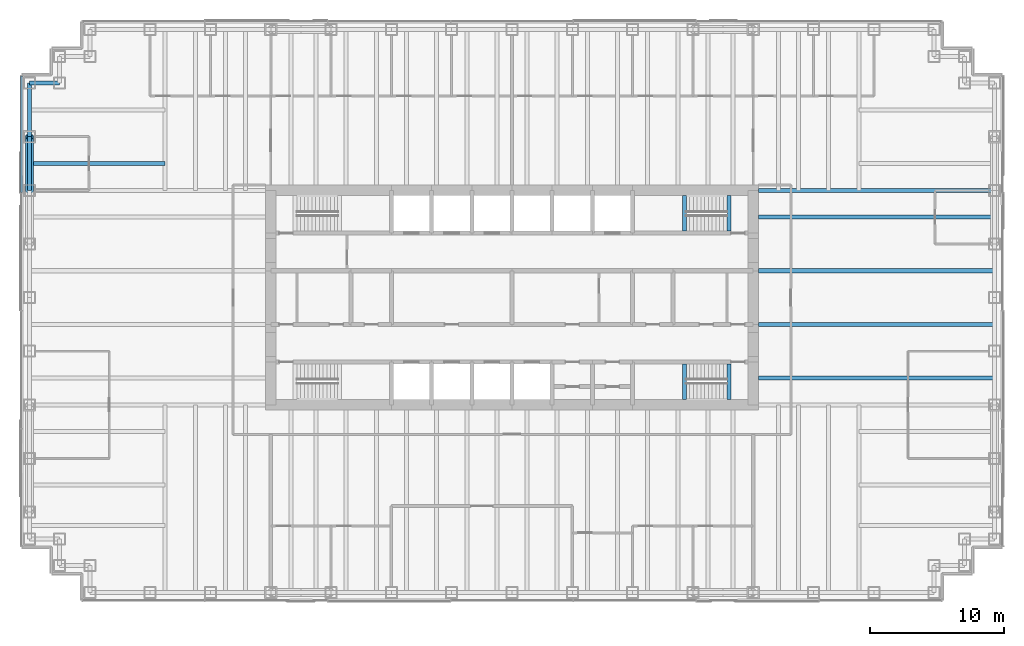
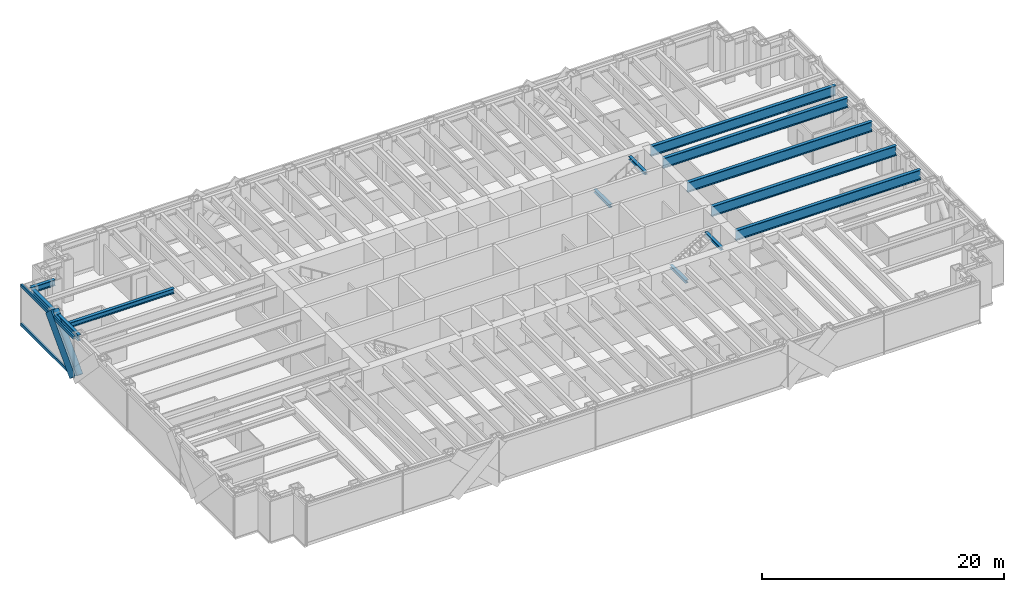
# One storey, part 4 of 17: 13 beams, 4 members, 1 element without a shape of its own.
"""IFC4 building model written with IfcOpenShell, lengths in metres."""

from ifc_helpers import new_model, si_unit, direction, frame, origin, origin_2d, place, context, subcontext, project, spatial, rectangle, hollow_circle, i_section, extrude, material, material_profile, profile_set, type_object, element, aggregate, save


model = new_model("IFC4")

# Units and contexts
model_context = context("Model", 3, precision=1e-05, world=origin(), true_north=direction((0.0, 1.0)))
body_context = subcontext(model_context, "Body", "Model", "MODEL_VIEW")
ifc_project = project(units=[si_unit("LENGTHUNIT", "METRE"), si_unit("AREAUNIT", "SQUARE_METRE"), si_unit("VOLUMEUNIT", "CUBIC_METRE"), si_unit("PLANEANGLEUNIT", "RADIAN"), si_unit("MASSUNIT", "GRAM", prefix="KILO")], contexts=[model_context])

# Site, building, storey
site_placement = place(None, origin())
site = spatial("IfcSite", under=ifc_project, at=site_placement, CompositionType="ELEMENT")
building_placement = place(site_placement, origin())
building = spatial("IfcBuilding", under=site, at=building_placement, Name="Rheinbord Bourse Tower", CompositionType="ELEMENT")
storey_placement = place(building_placement, frame((0.0, 0.0, 227.800048828125)))
storey = spatial("IfcBuildingStorey", under=building, at=storey_placement, Name="L51", CompositionType="ELEMENT", Elevation=227.800048828125)

# Curtain wall, members
ifc_material_1 = material(Name="Dark glass and black aluminium", Category="aluminium")
curtain_wall_type = type_object("IfcCurtainWallType", Name="CW2 DARK GLASS CURTAIN WALL", PredefinedType="USERDEFINED", material=ifc_material_1)
curtain_wall_placement = place(storey_placement, origin())
curtain_wall = element("IfcCurtainWall", 1, at=curtain_wall_placement, inside=storey, type_object=curtain_wall_type, Name="Curtain wall CW2 W L51", ObjectType="UNITISED CURTAIN WALL", PredefinedType="USERDEFINED")
ifc_material_2 = material(Name="Black anodised aluminium", Category="aluminium")
ifc_material_profile_1 = material_profile(ifc_material_2, rectangle(XDim=0.159912109375, YDim=1.2099609375, at=origin_2d()), Name="CW2 DIAGONAL MULLION 1210x160")
ifc_profile_set_1 = profile_set([ifc_material_profile_1], Name="Black anodised aluminium")
member_type_1 = type_object("IfcMemberType", Name="CW2 BLACK DIAGONAL MULLION", PredefinedType="USERDEFINED", material=ifc_profile_set_1)
member_1_placement = place(storey_placement, frame((-0.60009765625, 32.0, 0.0), z_axis=(0.0, 0.689659376744, 0.724133926887), x_axis=(-1.0, 0.0, 0.0)))
member_1 = element("IfcMember", 2, at=member_1_placement, type_object=member_type_1, Name="CW2 diagonal mullion b", ObjectType="DIAGONAL MULLION", PredefinedType="USERDEFINED", context=body_context, shape_type="SweptSolid", body=[
    extrude(rectangle(XDim=0.159912109375, YDim=1.2099609375, at=origin_2d()), origin(), (0.0, 0.0, 1.0), 5.800048828125),
])
ifc_material_3 = material(Name="Black anodised aluminium", Category="aluminium")
ifc_material_profile_2 = material_profile(ifc_material_3, rectangle(XDim=0.159912109375, YDim=0.300048828125, at=origin_2d()), Name="CW2 TRANSOM 300x160")
ifc_profile_set_2 = profile_set([ifc_material_profile_2], Name="Black anodised aluminium")
member_type_2 = type_object("IfcMemberType", Name="CW2 BLACK TRANSOM", PredefinedType="USERDEFINED", material=ifc_profile_set_2)
member_2_placement = place(storey_placement, frame((-0.60009765625, 40.530029296875, 0.14990234375), z_axis=(0.0, -1.0, 0.0), x_axis=(1.0, 0.0, 0.0)))
member_2 = element("IfcMember", 3, at=member_2_placement, type_object=member_type_2, Name="CW2 transom 1.1", ObjectType="TRANSOM", PredefinedType="USERDEFINED", context=body_context, shape_type="SweptSolid", body=[
    extrude(rectangle(XDim=0.159912109375, YDim=0.300048828125, at=origin_2d()), origin(), (0.0, 0.0, 1.0), 8.695068359375),
])
member_3_placement = place(storey_placement, frame((-0.60009765625, 40.530029296875, 4.050048828125), z_axis=(0.0, -1.0, 0.0), x_axis=(1.0, 0.0, 0.0)))
member_3 = element("IfcMember", 4, at=member_3_placement, type_object=member_type_2, Name="CW2 transom 1.2", ObjectType="TRANSOM", PredefinedType="USERDEFINED", context=body_context, shape_type="SweptSolid", body=[
    extrude(rectangle(XDim=0.159912109375, YDim=0.300048828125, at=origin_2d()), origin(), (0.0, 0.0, 1.0), 8.695068359375),
])
aggregate(curtain_wall, [member_2, member_3, member_1])

# Beams
ifc_material_4 = material(Name="Steel S460", Category="steel")
ifc_material_profile_3 = material_profile(ifc_material_4, i_section(OverallWidth=0.302001953125, OverallDepth=1.008056640625, WebThickness=0.02099609375, FlangeThickness=0.0400390625, at=origin_2d()), Name="HEM 1000")
ifc_profile_set_3 = profile_set([ifc_material_profile_3], Name="Steel S460")
beam_type_1 = type_object("IfcBeamType", Name="END BEAM HEM 1000", PredefinedType="BEAM", material=ifc_profile_set_3)
for number, where, z_axis, x_axis, name in (
    (5, (54.39990234375, 18.0, 3.535888671875), (1.0, 0.0, 0.0), (0.0, 1.0, 0.0), "End beam east 18 L52"),
    (6, (54.39990234375, 22.0, 3.535888671875), (1.0, 0.0, 0.0), (0.0, 1.0, 0.0), "End beam east 22 L52"),
    (7, (54.39990234375, 26.0, 3.535888671875), (1.0, 0.0, 0.0), (0.0, 1.0, 0.0), "End beam east 26 L52"),
    (8, (54.39990234375, 30.0, 3.535888671875), (1.0, 0.0, 0.0), (0.0, 1.0, 0.0), "End beam east 30 L52"),
):
    element("IfcBeam", number, at=place(storey_placement, frame(where, z_axis=z_axis, x_axis=x_axis)), inside=storey, type_object=beam_type_1, Name=name, PredefinedType="BEAM", context=body_context, shape_type="SweptSolid", body=[
        extrude(i_section(OverallWidth=0.302001953125, OverallDepth=1.008056640625, WebThickness=0.02099609375, FlangeThickness=0.0400390625, at=origin_2d()), origin(), (0.0, 0.0, 1.0), 17.60009765625),
    ])
ifc_material_5 = material(Name="Steel S460", Category="steel")
ifc_material_profile_4 = material_profile(ifc_material_5, i_section(OverallWidth=0.302001953125, OverallDepth=1.008056640625, WebThickness=0.02099609375, FlangeThickness=0.0400390625, at=origin_2d()), Name="HEM 1000")
ifc_profile_set_4 = profile_set([ifc_material_profile_4], Name="Steel S460")
beam_type_2 = type_object("IfcBeamType", Name="GIRDER HEM 1000", PredefinedType="BEAM", material=ifc_profile_set_4)
beam_1_placement = place(storey_placement, frame((54.39990234375, 32.0, 3.535888671875), z_axis=(1.0, 0.0, 0.0), x_axis=(0.0, 1.0, 0.0)))
element("IfcBeam", 9, at=beam_1_placement, inside=storey, type_object=beam_type_2, Name="Girder east 32 L52", PredefinedType="BEAM", context=body_context, shape_type="SweptSolid", body=[
    extrude(i_section(OverallWidth=0.302001953125, OverallDepth=1.008056640625, WebThickness=0.02099609375, FlangeThickness=0.0400390625, at=origin_2d()), origin(), (0.0, 0.0, 1.0), 17.60009765625),
])
ifc_material_6 = material(Name="Steel S460", Category="steel")
ifc_material_profile_5 = material_profile(ifc_material_6, i_section(OverallWidth=0.300048828125, OverallDepth=0.300048828125, WebThickness=0.010986328125, FlangeThickness=0.01904296875, at=origin_2d()), Name="HEB 300")
ifc_profile_set_5 = profile_set([ifc_material_profile_5], Name="Steel S460")
beam_type_3 = type_object("IfcBeamType", Name="LANDING TRIMMER HEB 300", PredefinedType="BEAM", material=ifc_profile_set_5)
for number, where, z_axis, x_axis, name in (
    (10, (48.8701171875, 16.39990234375, 1.75), (0.0, 1.0, 0.0), (-1.0, 0.0, 0.0), "Landing trimmer ST3 L51"),
    (11, (52.199951171875, 16.39990234375, 3.889892578125), (0.0, 1.0, 0.0), (-1.0, 0.0, 0.0), "Well trimmer ST3 under L52"),
    (12, (48.8701171875, 28.949951171875, 1.75), (0.0, 1.0, 0.0), (-1.0, 0.0, 0.0), "Landing trimmer ST4 L51"),
    (13, (52.199951171875, 28.949951171875, 3.889892578125), (0.0, 1.0, 0.0), (-1.0, 0.0, 0.0), "Well trimmer ST4 under L52"),
):
    element("IfcBeam", number, at=place(storey_placement, frame(where, z_axis=z_axis, x_axis=x_axis)), inside=storey, type_object=beam_type_3, Name=name, PredefinedType="BEAM", context=body_context, shape_type="SweptSolid", body=[
        extrude(i_section(OverallWidth=0.300048828125, OverallDepth=0.300048828125, WebThickness=0.010986328125, FlangeThickness=0.01904296875, at=origin_2d()), origin(), (0.0, 0.0, 1.0), 2.650146484375),
    ])

# Member
ifc_material_7 = material(Name="Steel S460", Category="steel")
ifc_material_profile_6 = material_profile(ifc_material_7, hollow_circle(Radius=0.304931640625, WallThickness=0.0400390625, at=origin_2d()), Name="CHS 610x40")
ifc_profile_set_6 = profile_set([ifc_material_profile_6], Name="Steel S460")
member_type_3 = type_object("IfcMemberType", Name="MEGABRACE CHS 610x40", PredefinedType="BRACE", material=ifc_profile_set_6)
member_4_placement = place(storey_placement, frame((0.0, 32.0, 0.0), z_axis=(0.0, 0.689659376744, 0.724133926887), x_axis=(-1.0, 0.0, 0.0)))
element("IfcMember", 14, at=member_4_placement, inside=storey, type_object=member_type_3, Name="Megabrace W face line b L51", PredefinedType="BRACE", context=body_context, shape_type="SweptSolid", body=[
    extrude(hollow_circle(Radius=0.304931640625, WallThickness=0.0400390625, at=origin_2d()), origin(), (0.0, 0.0, 1.0), 5.800048828125),
])

# Beams
ifc_material_8 = material(Name="Steel S460", Category="steel")
ifc_material_profile_7 = material_profile(ifc_material_8, i_section(OverallWidth=0.300048828125, OverallDepth=0.60009765625, WebThickness=0.015380859375, FlangeThickness=0.030029296875, at=origin_2d()), Name="HEB 600")
ifc_profile_set_7 = profile_set([ifc_material_profile_7], Name="Steel S460")
beam_type_4 = type_object("IfcBeamType", Name="SPANDREL HEB 600", PredefinedType="SPANDREL", material=ifc_profile_set_7)
beam_2_placement = place(storey_placement, frame((2.25, 40.0, 3.739990234375), z_axis=(-1.0, 0.0, 0.0), x_axis=(0.0, -1.0, 0.0)))
element("IfcBeam", 15, at=beam_2_placement, inside=storey, type_object=beam_type_4, Name="Spandrel NW-B-NW-A under L52", PredefinedType="SPANDREL", context=body_context, shape_type="SweptSolid", body=[
    extrude(i_section(OverallWidth=0.300048828125, OverallDepth=0.60009765625, WebThickness=0.015380859375, FlangeThickness=0.030029296875, at=origin_2d()), origin(), (0.0, 0.0, 1.0), 2.25),
])
for number, where, z_axis, x_axis, name in (
    (16, (0.0, 40.0, 3.739990234375), (0.0, -1.0, 0.0), (1.0, 0.0, 0.0), "Spandrel NW-A-W-36 under L52"),
    (17, (0.0, 36.0, 3.739990234375), (0.0, -1.0, 0.0), (1.0, 0.0, 0.0), "Spandrel W-36-W-32 under L52"),
):
    element("IfcBeam", number, at=place(storey_placement, frame(where, z_axis=z_axis, x_axis=x_axis)), inside=storey, type_object=beam_type_4, Name=name, PredefinedType="SPANDREL", context=body_context, shape_type="SweptSolid", body=[
        extrude(i_section(OverallWidth=0.300048828125, OverallDepth=0.60009765625, WebThickness=0.015380859375, FlangeThickness=0.030029296875, at=origin_2d()), origin(), (0.0, 0.0, 1.0), 4.0),
    ])
ifc_material_9 = material(Name="Steel S460", Category="steel")
ifc_material_profile_8 = material_profile(ifc_material_9, i_section(OverallWidth=0.300048828125, OverallDepth=0.5, WebThickness=0.014404296875, FlangeThickness=0.028076171875, at=origin_2d()), Name="HEB 500")
ifc_profile_set_8 = profile_set([ifc_material_profile_8], Name="Steel S460")
beam_type_5 = type_object("IfcBeamType", Name="TIE BEAM HEB 500", PredefinedType="JOIST", material=ifc_profile_set_8)
beam_3_placement = place(storey_placement, frame((0.0, 34.0, 3.7900390625), z_axis=(1.0, 0.0, 0.0), x_axis=(0.0, 1.0, 0.0)))
element("IfcBeam", 18, at=beam_3_placement, inside=storey, type_object=beam_type_5, Name="Tie west 34 L52", PredefinedType="JOIST", context=body_context, shape_type="SweptSolid", body=[
    extrude(i_section(OverallWidth=0.300048828125, OverallDepth=0.5, WebThickness=0.014404296875, FlangeThickness=0.028076171875, at=origin_2d()), origin(), (0.0, 0.0, 1.0), 10.125),
])

save(model, "model.ifc")
